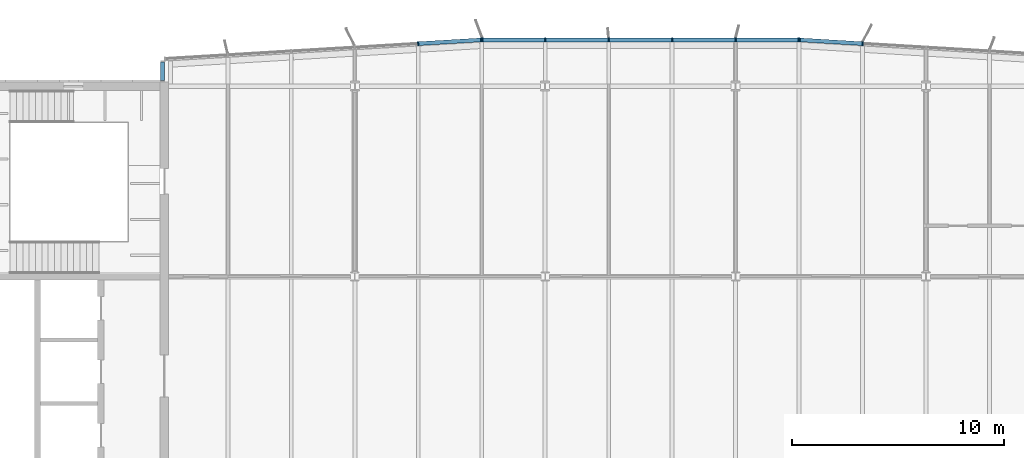
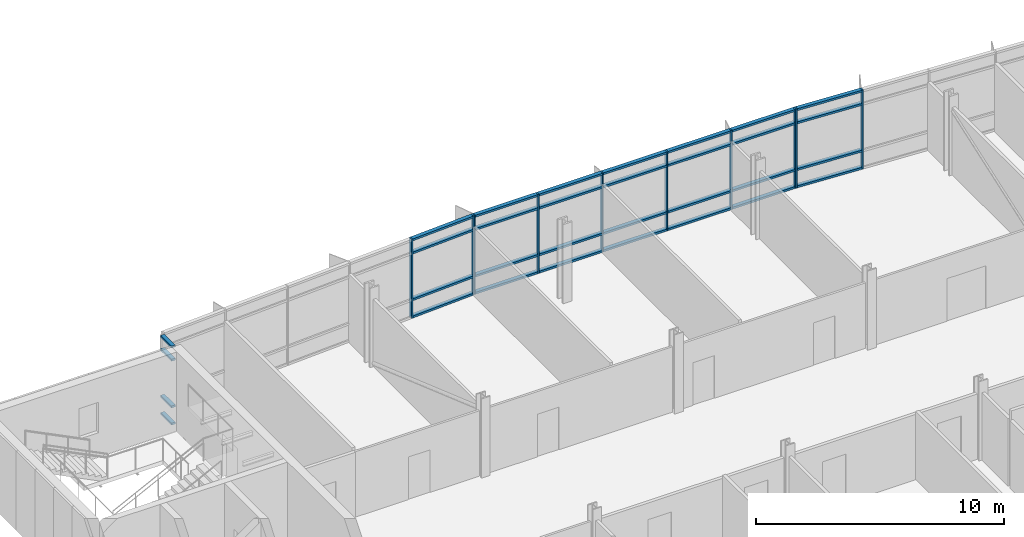
# One storey, part 8 of 17: 42 members, 4 elements without a shape of their own.
"""IFC4 building model written with IfcOpenShell, lengths in metres."""

import ifcopenshell
import ifcopenshell.guid

model = None  # the IFC model being written
_history = None  # IfcOwnerHistory: only IFC2X3 demands one
_inside = {}  # id of a spatial element -> (the spatial element, [elements in it])
_under = {}  # id of a project, library or spatial element -> (it, [spatial elements below it])
_declared = {}  # id of a project -> (the project, [libraries it declares])
_typed = {}  # id of a type object -> (the type object, [elements of that type])
_made_of = {}  # id of a material, layer set ... -> (it, [elements and type objects made of it])


def new_model(schema):
    """Start an empty IFC model of exactly this schema.

    Asked for "IFC4X3", IfcOpenShell would pick the latest addendum, in which some entities
    have other attributes; the version numbers below select the first issue.
    IFC2X3 requires an IfcOwnerHistory on every rooted entity: one is made here for all.
    """
    global model, _history
    if schema == "IFC4X3":
        model = ifcopenshell.file(schema_version=(4, 3, 0, 0))
    else:
        model = ifcopenshell.file(schema=schema)
    _inside.clear()
    _under.clear()
    _declared.clear()
    _typed.clear()
    _made_of.clear()
    _history = None
    if model.schema == "IFC2X3":
        org = make("IfcOrganization", Name="unknown")
        user = make(
            "IfcPersonAndOrganization",
            ThePerson=make("IfcPerson", FamilyName="unknown"),
            TheOrganization=org,
        )
        app = make(
            "IfcApplication",
            ApplicationDeveloper=org,
            Version="unknown",
            ApplicationFullName="unknown",
            ApplicationIdentifier="unknown",
        )
        _history = make(
            "IfcOwnerHistory",
            OwningUser=user,
            OwningApplication=app,
            ChangeAction="ADDED",
            CreationDate=0,
        )
    return model


def make(cls, **values):
    """One entity of the class cls with the attributes given. An attribute that is None is left unset."""
    return model.create_entity(
        cls, **{name: value for name, value in values.items() if value is not None}
    )


def rooted(cls, **values):
    """An entity with a GlobalId (a new one), such as an element, a storey or a relation."""
    return make(cls, GlobalId=ifcopenshell.guid.new(), OwnerHistory=_history, **values)


def si_unit(unit_type, name, prefix=None):
    """IfcSIUnit, for example si_unit("LENGTHUNIT", "METRE", prefix="MILLI")."""
    return make("IfcSIUnit", UnitType=unit_type, Prefix=prefix, Name=name)


def assignment(units):
    """IfcUnitAssignment: the units of a project."""
    return None if units is None else make("IfcUnitAssignment", Units=units)


def point(xyz):
    """IfcCartesianPoint."""
    return None if xyz is None else make("IfcCartesianPoint", Coordinates=xyz)


def direction(xyz):
    """IfcDirection."""
    return None if xyz is None else make("IfcDirection", DirectionRatios=xyz)


def frame(location, z_axis=None, x_axis=None):
    """IfcAxis2Placement3D, a coordinate frame: its origin and axes. An axis left out is left unset."""
    return make(
        "IfcAxis2Placement3D",
        Location=point(location),
        Axis=direction(z_axis),
        RefDirection=direction(x_axis),
    )


def frame_2d(location, x_axis=None):
    """IfcAxis2Placement2D, a coordinate frame in the plane: its origin and x axis."""
    return make(
        "IfcAxis2Placement2D", Location=point(location), RefDirection=direction(x_axis)
    )


def origin():
    """The frame at (0, 0, 0) with its axes left unset."""
    return frame((0.0, 0.0, 0.0))


def origin_2d():
    """The frame at (0, 0) in the plane with its x axis left unset."""
    return frame_2d((0.0, 0.0))


def place(relative_to, where):
    """IfcLocalPlacement: puts the frame where relative to a parent placement (None: the world)."""
    return make(
        "IfcLocalPlacement", PlacementRelTo=relative_to, RelativePlacement=where
    )


def context(
    kind, dimensions, precision=None, world=None, true_north=None, identifier=None
):
    """IfcGeometricRepresentationContext, for example the 3D "Model" context."""
    return make(
        "IfcGeometricRepresentationContext",
        ContextIdentifier=identifier,
        ContextType=kind,
        CoordinateSpaceDimension=dimensions,
        Precision=precision,
        WorldCoordinateSystem=world,
        TrueNorth=true_north,
    )


def subcontext(parent, identifier, kind, view, scale=None):
    """IfcGeometricRepresentationSubContext, for example "Body" below "Model"."""
    return make(
        "IfcGeometricRepresentationSubContext",
        ContextIdentifier=identifier,
        ContextType=kind,
        ParentContext=parent,
        TargetScale=scale,
        TargetView=view,
    )


def project(units=None, contexts=None):
    """IfcProject with its units and contexts."""
    return rooted(
        "IfcProject",
        Name="project",
        RepresentationContexts=contexts,
        UnitsInContext=assignment(units),
    )


def spatial(cls, under=None, at=None, **own):
    """A site, building, storey or space (cls), placed at a placement, below another one or the project."""
    s = rooted(cls, ObjectPlacement=at, **own)
    if under is not None:
        _under.setdefault(under.id(), (under, []))[1].append(s)
    return s


def profile(cls, at=None, kind="AREA", **sizes):
    """A parametric profile (cls). Its sizes go by their IFC names, for example OverallWidth=200.0."""
    return make(cls, ProfileType=kind, Position=at, **sizes)


def rectangle(**sizes):
    """IfcRectangleProfileDef."""
    return profile("IfcRectangleProfileDef", **sizes)


def extrude(swept, where, along, depth):
    """IfcExtrudedAreaSolid: the profile swept, set in the frame where, extruded along a direction by depth."""
    return make(
        "IfcExtrudedAreaSolid",
        SweptArea=swept,
        Position=where,
        ExtrudedDirection=direction(along),
        Depth=depth,
    )


def shape(context_of_items, identifier, shape_type, items):
    """IfcShapeRepresentation: the items that make up one representation, for example the "Body"."""
    return make(
        "IfcShapeRepresentation",
        ContextOfItems=context_of_items,
        RepresentationIdentifier=identifier,
        RepresentationType=shape_type,
        Items=items,
    )


def material(Name=None, Category=None):
    """IfcMaterial."""
    return make("IfcMaterial", Name=Name, Category=Category)


def material_profile(
    of_material, cross_section, Name=None, Category=None, Priority=None
):
    """IfcMaterialProfile: a cross section and its material."""
    return make(
        "IfcMaterialProfile",
        Name=Name,
        Material=of_material,
        Profile=cross_section,
        Priority=Priority,
        Category=Category,
    )


def profile_set(profiles, Name=None, composite=None):
    """IfcMaterialProfileSet."""
    return make(
        "IfcMaterialProfileSet",
        Name=Name,
        MaterialProfiles=profiles,
        CompositeProfile=composite,
    )


def made_of(thing, what):
    """Note that an element or type object is made of a material, layer set ...; save() writes the relation."""
    if what is not None:
        _made_of.setdefault(what.id(), (what, []))[1].append(thing)
    return thing


def type_object(cls, material=None, **own):
    """A type object (cls), such as IfcWallType, which elements share."""
    return made_of(rooted(cls, **own), material)


def element(
    cls,
    number,
    at=None,
    inside=None,
    cuts=None,
    type_object=None,
    material=None,
    context=None,
    identifier="Body",
    shape_type=None,
    held_by="IfcProductDefinitionShape",
    body=None,
    shapes=None,
    **own,
):
    """One element of the class cls, such as IfcWall. Its Tag is "e" and its number.

    at: its placement. inside: the storey or other place that contains it. cuts: it is an
    opening in that element (IfcRelVoidsElement). A single representation is given by context,
    identifier, shape_type and body (its items); several are given by shapes. held_by: the class
    of the entity that holds the representations. save() writes the other relations.
    """
    e = rooted(cls, Tag="e%d" % number, ObjectPlacement=at, **own)
    if body is not None:
        shapes = [shape(context, identifier, shape_type, body)]
    if shapes is not None:
        e.Representation = make(held_by, Representations=shapes)
    if inside is not None:
        _inside.setdefault(inside.id(), (inside, []))[1].append(e)
    if cuts is not None:
        rooted(
            "IfcRelVoidsElement", RelatingBuildingElement=cuts, RelatedOpeningElement=e
        )
    if type_object is not None:
        _typed.setdefault(type_object.id(), (type_object, []))[1].append(e)
    return made_of(e, material)


def aggregate(whole, parts):
    """IfcRelAggregates: a whole, such as a stair, and the parts it consists of."""
    return rooted("IfcRelAggregates", RelatingObject=whole, RelatedObjects=parts)


def save(model, path):
    """Write the relations noted so far, then the file.

    IfcRelAggregates (storeys below a building ...), IfcRelContainedInSpatialStructure (elements
    in a storey), IfcRelDefinesByType, IfcRelAssociatesMaterial and IfcRelDeclares: one each for
    every whole, place, type object, material and project.
    """
    for whole, parts in _under.values():
        aggregate(whole, parts)
    for where, things in _inside.values():
        rooted(
            "IfcRelContainedInSpatialStructure",
            RelatedElements=things,
            RelatingStructure=where,
        )
    for kind, things in _typed.values():
        rooted("IfcRelDefinesByType", RelatedObjects=things, RelatingType=kind)
    for what, things in _made_of.values():
        rooted("IfcRelAssociatesMaterial", RelatedObjects=things, RelatingMaterial=what)
    for by, libraries in _declared.values():
        rooted("IfcRelDeclares", RelatingContext=by, RelatedDefinitions=libraries)
    model.write(path)


model = new_model("IFC4")

# Units and contexts
model_context = context("Model", 3, precision=1e-05, world=origin(), true_north=direction((0.0, 1.0)))
body_context = subcontext(model_context, "Body", "Model", "MODEL_VIEW")
ifc_project = project(units=[si_unit("LENGTHUNIT", "METRE"), si_unit("AREAUNIT", "SQUARE_METRE"), si_unit("VOLUMEUNIT", "CUBIC_METRE"), si_unit("PLANEANGLEUNIT", "RADIAN"), si_unit("MASSUNIT", "GRAM", prefix="KILO")], contexts=[model_context])

# Site, building, storey
site_placement = place(None, origin())
site = spatial("IfcSite", under=ifc_project, at=site_placement, CompositionType="ELEMENT")
building_placement = place(site_placement, origin())
building = spatial("IfcBuilding", under=site, at=building_placement, Name="Azimuth Sports and Learning Centre", CompositionType="ELEMENT")
storey_placement = place(building_placement, frame((0.0, 0.0, 36.300048828125)))
storey = spatial("IfcBuildingStorey", under=building, at=storey_placement, Name="L07", CompositionType="ELEMENT", Elevation=36.300048828125)

# Curtain wall, members
ifc_material_1 = material(Name="Aluminium and glass", Category="aluminium")
curtain_wall_type_1 = type_object("IfcCurtainWallType", Name="Curtain wall tower north 180", PredefinedType="NOTDEFINED", material=ifc_material_1)
curtain_wall_1_placement = place(storey_placement, origin())
curtain_wall_1 = element("IfcCurtainWall", 1, at=curtain_wall_1_placement, inside=storey, type_object=curtain_wall_type_1, Name="Curtain wall CW07-007", PredefinedType="NOTDEFINED")
ifc_material_2 = material(Name="Aluminium", Category="aluminium")
ifc_material_profile_1 = material_profile(ifc_material_2, rectangle(XDim=0.179931640625, YDim=0.06005859375, at=origin_2d()), Name="Mullion 60x180")
ifc_profile_set_1 = profile_set([ifc_material_profile_1], Name="Aluminium")
member_type_1 = type_object("IfcMemberType", Name="Mullion 60x180", PredefinedType="MULLION", material=ifc_profile_set_1)
member_1_placement = place(storey_placement, frame((96.00537109375, 119.009765625, 0.0), z_axis=(0.0, 0.0, 1.0), x_axis=(-0.059891991812, -0.998204863401, 0.0)))
member_1 = element("IfcMember", 2, at=member_1_placement, type_object=member_type_1, Name="CW07-007 mullion 5", PredefinedType="MULLION", context=body_context, shape_type="SweptSolid", body=[
    extrude(rectangle(XDim=0.179931640625, YDim=0.06005859375, at=origin_2d()), origin(), (0.0, 0.0, 1.0), 3.89990234375),
])
member_2_placement = place(storey_placement, frame((93.035400390625, 119.18798828125, 0.0), z_axis=(0.0, 0.0, 1.0), x_axis=(-0.059891991812, -0.998204863401, 0.0)))
member_2 = element("IfcMember", 3, at=member_2_placement, type_object=member_type_1, Name="CW07-007 mullion 6", PredefinedType="MULLION", context=body_context, shape_type="SweptSolid", body=[
    extrude(rectangle(XDim=0.179931640625, YDim=0.06005859375, at=origin_2d()), origin(), (0.0, 0.0, 1.0), 3.89990234375),
])

curtain_wall_2_placement = place(storey_placement, origin())
curtain_wall_2 = element("IfcCurtainWall", 4, at=curtain_wall_2_placement, inside=storey, type_object=curtain_wall_type_1, Name="Curtain wall CW07-008", PredefinedType="NOTDEFINED")
member_3_placement = place(storey_placement, frame((92.975341796875, 119.18994140625, 0.0), z_axis=(0.0, 0.0, 1.0), x_axis=(0.0, -1.0, 0.0)))
member_3 = element("IfcMember", 5, at=member_3_placement, type_object=member_type_1, Name="CW07-008 mullion 1", PredefinedType="MULLION", context=body_context, shape_type="SweptSolid", body=[
    extrude(rectangle(XDim=0.179931640625, YDim=0.06005859375, at=origin_2d()), origin(), (0.0, 0.0, 1.0), 3.89990234375),
])
member_4_placement = place(storey_placement, frame((90.0, 119.18994140625, 0.0), z_axis=(0.0, 0.0, 1.0), x_axis=(0.0, -1.0, 0.0)))
member_4 = element("IfcMember", 6, at=member_4_placement, type_object=member_type_1, Name="CW07-008 mullion 2", PredefinedType="MULLION", context=body_context, shape_type="SweptSolid", body=[
    extrude(rectangle(XDim=0.179931640625, YDim=0.06005859375, at=origin_2d()), origin(), (0.0, 0.0, 1.0), 3.89990234375),
])
member_5_placement = place(storey_placement, frame((87.0, 119.18994140625, 0.0), z_axis=(0.0, 0.0, 1.0), x_axis=(0.0, -1.0, 0.0)))
member_5 = element("IfcMember", 7, at=member_5_placement, type_object=member_type_1, Name="CW07-008 mullion 3", PredefinedType="MULLION", context=body_context, shape_type="SweptSolid", body=[
    extrude(rectangle(XDim=0.179931640625, YDim=0.06005859375, at=origin_2d()), origin(), (0.0, 0.0, 1.0), 3.89990234375),
])
member_6_placement = place(storey_placement, frame((84.0, 119.18994140625, 0.0), z_axis=(0.0, 0.0, 1.0), x_axis=(0.0, -1.0, 0.0)))
member_6 = element("IfcMember", 8, at=member_6_placement, type_object=member_type_1, Name="CW07-008 mullion 4", PredefinedType="MULLION", context=body_context, shape_type="SweptSolid", body=[
    extrude(rectangle(XDim=0.179931640625, YDim=0.06005859375, at=origin_2d()), origin(), (0.0, 0.0, 1.0), 3.89990234375),
])
member_7_placement = place(storey_placement, frame((81.0, 119.18994140625, 0.0), z_axis=(0.0, 0.0, 1.0), x_axis=(0.0, -1.0, 0.0)))
member_7 = element("IfcMember", 9, at=member_7_placement, type_object=member_type_1, Name="CW07-008 mullion 5", PredefinedType="MULLION", context=body_context, shape_type="SweptSolid", body=[
    extrude(rectangle(XDim=0.179931640625, YDim=0.06005859375, at=origin_2d()), origin(), (0.0, 0.0, 1.0), 3.89990234375),
])
member_8_placement = place(storey_placement, frame((78.030029296875, 119.18994140625, 0.0), z_axis=(0.0, 0.0, 1.0), x_axis=(0.0, -1.0, 0.0)))
member_8 = element("IfcMember", 10, at=member_8_placement, type_object=member_type_1, Name="CW07-008 mullion 6", PredefinedType="MULLION", context=body_context, shape_type="SweptSolid", body=[
    extrude(rectangle(XDim=0.179931640625, YDim=0.06005859375, at=origin_2d()), origin(), (0.0, 0.0, 1.0), 3.89990234375),
])

curtain_wall_3_placement = place(storey_placement, origin())
curtain_wall_3 = element("IfcCurtainWall", 11, at=curtain_wall_3_placement, inside=storey, type_object=curtain_wall_type_1, Name="Curtain wall CW07-009", PredefinedType="NOTDEFINED")
member_9_placement = place(storey_placement, frame((77.969970703125, 119.1884765625, 0.0), z_axis=(0.0, 0.0, 1.0), x_axis=(0.059891991812, -0.998204863401, 0.0)))
member_9 = element("IfcMember", 12, at=member_9_placement, type_object=member_type_1, Name="CW07-009 mullion 1", PredefinedType="MULLION", context=body_context, shape_type="SweptSolid", body=[
    extrude(rectangle(XDim=0.179931640625, YDim=0.06005859375, at=origin_2d()), origin(), (0.0, 0.0, 1.0), 3.89990234375),
])
member_10_placement = place(storey_placement, frame((74.99462890625, 119.009765625, 0.0), z_axis=(0.0, 0.0, 1.0), x_axis=(0.059891991812, -0.998204863401, 0.0)))
member_10 = element("IfcMember", 13, at=member_10_placement, type_object=member_type_1, Name="CW07-009 mullion 2", PredefinedType="MULLION", context=body_context, shape_type="SweptSolid", body=[
    extrude(rectangle(XDim=0.179931640625, YDim=0.06005859375, at=origin_2d()), origin(), (0.0, 0.0, 1.0), 3.89990234375),
])

# Member
ifc_material_3 = material(Name="Aluminium", Category="aluminium")
ifc_material_profile_2 = material_profile(ifc_material_3, rectangle(XDim=0.179931640625, YDim=0.10009765625, at=origin_2d()), Name="Transom 100x180")
ifc_profile_set_2 = profile_set([ifc_material_profile_2], Name="Aluminium")
member_type_2 = type_object("IfcMemberType", Name="Transom 100x180", PredefinedType="USERDEFINED", material=ifc_profile_set_2)
member_11_placement = place(storey_placement, frame((95.975341796875, 119.01171875, 0.050048828125), z_axis=(-0.998205846627, 0.059875602377, 0.0), x_axis=(-0.059875602377, -0.998205846627, 0.0)))
member_11 = element("IfcMember", 14, at=member_11_placement, type_object=member_type_2, Name="CW07-007 transom 5.1", ObjectType="TRANSOM", PredefinedType="USERDEFINED", context=body_context, shape_type="SweptSolid", body=[
    extrude(rectangle(XDim=0.179931640625, YDim=0.10009765625, at=origin_2d()), origin(), (0.0, 0.0, 1.0), 2.915283203125),
])

member_12_placement = place(storey_placement, frame((95.975341796875, 119.01171875, 0.89990234375), z_axis=(-0.998205846627, 0.059875602377, 0.0), x_axis=(-0.059875602377, -0.998205846627, 0.0)))
member_12 = element("IfcMember", 15, at=member_12_placement, type_object=member_type_2, Name="CW07-007 transom 5.2", ObjectType="TRANSOM", PredefinedType="USERDEFINED", context=body_context, shape_type="SweptSolid", body=[
    extrude(rectangle(XDim=0.179931640625, YDim=0.10009765625, at=origin_2d()), origin(), (0.0, 0.0, 1.0), 2.915283203125),
])

member_13_placement = place(storey_placement, frame((95.975341796875, 119.01171875, 3.199951171875), z_axis=(-0.998205846627, 0.059875602377, 0.0), x_axis=(-0.059875602377, -0.998205846627, 0.0)))
member_13 = element("IfcMember", 16, at=member_13_placement, type_object=member_type_2, Name="CW07-007 transom 5.3", ObjectType="TRANSOM", PredefinedType="USERDEFINED", context=body_context, shape_type="SweptSolid", body=[
    extrude(rectangle(XDim=0.179931640625, YDim=0.10009765625, at=origin_2d()), origin(), (0.0, 0.0, 1.0), 2.915283203125),
])

member_14_placement = place(storey_placement, frame((95.975341796875, 119.01171875, 3.849853515625), z_axis=(-0.998205846627, 0.059875602377, 0.0), x_axis=(-0.059875602377, -0.998205846627, 0.0)))
member_14 = element("IfcMember", 17, at=member_14_placement, type_object=member_type_2, Name="CW07-007 transom 5.4", ObjectType="TRANSOM", PredefinedType="USERDEFINED", context=body_context, shape_type="SweptSolid", body=[
    extrude(rectangle(XDim=0.179931640625, YDim=0.10009765625, at=origin_2d()), origin(), (0.0, 0.0, 1.0), 2.915283203125),
])

aggregate(curtain_wall_1, [member_1, member_2, member_11, member_12, member_13, member_14])

member_15_placement = place(storey_placement, frame((92.9453125, 119.18994140625, 0.050048828125), z_axis=(-1.0, 0.0, 0.0), x_axis=(0.0, -1.0, 0.0)))
member_15 = element("IfcMember", 18, at=member_15_placement, type_object=member_type_2, Name="CW07-008 transom 1.1", ObjectType="TRANSOM", PredefinedType="USERDEFINED", context=body_context, shape_type="SweptSolid", body=[
    extrude(rectangle(XDim=0.179931640625, YDim=0.10009765625, at=origin_2d()), origin(), (0.0, 0.0, 1.0), 2.915283203125),
])

member_16_placement = place(storey_placement, frame((92.9453125, 119.18994140625, 0.89990234375), z_axis=(-1.0, 0.0, 0.0), x_axis=(0.0, -1.0, 0.0)))
member_16 = element("IfcMember", 19, at=member_16_placement, type_object=member_type_2, Name="CW07-008 transom 1.2", ObjectType="TRANSOM", PredefinedType="USERDEFINED", context=body_context, shape_type="SweptSolid", body=[
    extrude(rectangle(XDim=0.179931640625, YDim=0.10009765625, at=origin_2d()), origin(), (0.0, 0.0, 1.0), 2.915283203125),
])

member_17_placement = place(storey_placement, frame((92.9453125, 119.18994140625, 3.199951171875), z_axis=(-1.0, 0.0, 0.0), x_axis=(0.0, -1.0, 0.0)))
member_17 = element("IfcMember", 20, at=member_17_placement, type_object=member_type_2, Name="CW07-008 transom 1.3", ObjectType="TRANSOM", PredefinedType="USERDEFINED", context=body_context, shape_type="SweptSolid", body=[
    extrude(rectangle(XDim=0.179931640625, YDim=0.10009765625, at=origin_2d()), origin(), (0.0, 0.0, 1.0), 2.915283203125),
])

member_18_placement = place(storey_placement, frame((92.9453125, 119.18994140625, 3.849853515625), z_axis=(-1.0, 0.0, 0.0), x_axis=(0.0, -1.0, 0.0)))
member_18 = element("IfcMember", 21, at=member_18_placement, type_object=member_type_2, Name="CW07-008 transom 1.4", ObjectType="TRANSOM", PredefinedType="USERDEFINED", context=body_context, shape_type="SweptSolid", body=[
    extrude(rectangle(XDim=0.179931640625, YDim=0.10009765625, at=origin_2d()), origin(), (0.0, 0.0, 1.0), 2.915283203125),
])

member_19_placement = place(storey_placement, frame((89.969970703125, 119.18994140625, 0.050048828125), z_axis=(-1.0, 0.0, 0.0), x_axis=(0.0, -1.0, 0.0)))
member_19 = element("IfcMember", 22, at=member_19_placement, type_object=member_type_2, Name="CW07-008 transom 2.1", ObjectType="TRANSOM", PredefinedType="USERDEFINED", context=body_context, shape_type="SweptSolid", body=[
    extrude(rectangle(XDim=0.179931640625, YDim=0.10009765625, at=origin_2d()), origin(), (0.0, 0.0, 1.0), 2.93994140625),
])

member_20_placement = place(storey_placement, frame((89.969970703125, 119.18994140625, 0.89990234375), z_axis=(-1.0, 0.0, 0.0), x_axis=(0.0, -1.0, 0.0)))
member_20 = element("IfcMember", 23, at=member_20_placement, type_object=member_type_2, Name="CW07-008 transom 2.2", ObjectType="TRANSOM", PredefinedType="USERDEFINED", context=body_context, shape_type="SweptSolid", body=[
    extrude(rectangle(XDim=0.179931640625, YDim=0.10009765625, at=origin_2d()), origin(), (0.0, 0.0, 1.0), 2.93994140625),
])

member_21_placement = place(storey_placement, frame((89.969970703125, 119.18994140625, 3.199951171875), z_axis=(-1.0, 0.0, 0.0), x_axis=(0.0, -1.0, 0.0)))
member_21 = element("IfcMember", 24, at=member_21_placement, type_object=member_type_2, Name="CW07-008 transom 2.3", ObjectType="TRANSOM", PredefinedType="USERDEFINED", context=body_context, shape_type="SweptSolid", body=[
    extrude(rectangle(XDim=0.179931640625, YDim=0.10009765625, at=origin_2d()), origin(), (0.0, 0.0, 1.0), 2.93994140625),
])

member_22_placement = place(storey_placement, frame((89.969970703125, 119.18994140625, 3.849853515625), z_axis=(-1.0, 0.0, 0.0), x_axis=(0.0, -1.0, 0.0)))
member_22 = element("IfcMember", 25, at=member_22_placement, type_object=member_type_2, Name="CW07-008 transom 2.4", ObjectType="TRANSOM", PredefinedType="USERDEFINED", context=body_context, shape_type="SweptSolid", body=[
    extrude(rectangle(XDim=0.179931640625, YDim=0.10009765625, at=origin_2d()), origin(), (0.0, 0.0, 1.0), 2.93994140625),
])

member_23_placement = place(storey_placement, frame((86.969970703125, 119.18994140625, 0.050048828125), z_axis=(-1.0, 0.0, 0.0), x_axis=(0.0, -1.0, 0.0)))
member_23 = element("IfcMember", 26, at=member_23_placement, type_object=member_type_2, Name="CW07-008 transom 3.1", ObjectType="TRANSOM", PredefinedType="USERDEFINED", context=body_context, shape_type="SweptSolid", body=[
    extrude(rectangle(XDim=0.179931640625, YDim=0.10009765625, at=origin_2d()), origin(), (0.0, 0.0, 1.0), 2.93994140625),
])

member_24_placement = place(storey_placement, frame((86.969970703125, 119.18994140625, 0.89990234375), z_axis=(-1.0, 0.0, 0.0), x_axis=(0.0, -1.0, 0.0)))
member_24 = element("IfcMember", 27, at=member_24_placement, type_object=member_type_2, Name="CW07-008 transom 3.2", ObjectType="TRANSOM", PredefinedType="USERDEFINED", context=body_context, shape_type="SweptSolid", body=[
    extrude(rectangle(XDim=0.179931640625, YDim=0.10009765625, at=origin_2d()), origin(), (0.0, 0.0, 1.0), 2.93994140625),
])

member_25_placement = place(storey_placement, frame((86.969970703125, 119.18994140625, 3.199951171875), z_axis=(-1.0, 0.0, 0.0), x_axis=(0.0, -1.0, 0.0)))
member_25 = element("IfcMember", 28, at=member_25_placement, type_object=member_type_2, Name="CW07-008 transom 3.3", ObjectType="TRANSOM", PredefinedType="USERDEFINED", context=body_context, shape_type="SweptSolid", body=[
    extrude(rectangle(XDim=0.179931640625, YDim=0.10009765625, at=origin_2d()), origin(), (0.0, 0.0, 1.0), 2.93994140625),
])

member_26_placement = place(storey_placement, frame((86.969970703125, 119.18994140625, 3.849853515625), z_axis=(-1.0, 0.0, 0.0), x_axis=(0.0, -1.0, 0.0)))
member_26 = element("IfcMember", 29, at=member_26_placement, type_object=member_type_2, Name="CW07-008 transom 3.4", ObjectType="TRANSOM", PredefinedType="USERDEFINED", context=body_context, shape_type="SweptSolid", body=[
    extrude(rectangle(XDim=0.179931640625, YDim=0.10009765625, at=origin_2d()), origin(), (0.0, 0.0, 1.0), 2.93994140625),
])

member_27_placement = place(storey_placement, frame((83.969970703125, 119.18994140625, 0.050048828125), z_axis=(-1.0, 0.0, 0.0), x_axis=(0.0, -1.0, 0.0)))
member_27 = element("IfcMember", 30, at=member_27_placement, type_object=member_type_2, Name="CW07-008 transom 4.1", ObjectType="TRANSOM", PredefinedType="USERDEFINED", context=body_context, shape_type="SweptSolid", body=[
    extrude(rectangle(XDim=0.179931640625, YDim=0.10009765625, at=origin_2d()), origin(), (0.0, 0.0, 1.0), 2.93994140625),
])

member_28_placement = place(storey_placement, frame((83.969970703125, 119.18994140625, 0.89990234375), z_axis=(-1.0, 0.0, 0.0), x_axis=(0.0, -1.0, 0.0)))
member_28 = element("IfcMember", 31, at=member_28_placement, type_object=member_type_2, Name="CW07-008 transom 4.2", ObjectType="TRANSOM", PredefinedType="USERDEFINED", context=body_context, shape_type="SweptSolid", body=[
    extrude(rectangle(XDim=0.179931640625, YDim=0.10009765625, at=origin_2d()), origin(), (0.0, 0.0, 1.0), 2.93994140625),
])

member_29_placement = place(storey_placement, frame((83.969970703125, 119.18994140625, 3.199951171875), z_axis=(-1.0, 0.0, 0.0), x_axis=(0.0, -1.0, 0.0)))
member_29 = element("IfcMember", 32, at=member_29_placement, type_object=member_type_2, Name="CW07-008 transom 4.3", ObjectType="TRANSOM", PredefinedType="USERDEFINED", context=body_context, shape_type="SweptSolid", body=[
    extrude(rectangle(XDim=0.179931640625, YDim=0.10009765625, at=origin_2d()), origin(), (0.0, 0.0, 1.0), 2.93994140625),
])

member_30_placement = place(storey_placement, frame((83.969970703125, 119.18994140625, 3.849853515625), z_axis=(-1.0, 0.0, 0.0), x_axis=(0.0, -1.0, 0.0)))
member_30 = element("IfcMember", 33, at=member_30_placement, type_object=member_type_2, Name="CW07-008 transom 4.4", ObjectType="TRANSOM", PredefinedType="USERDEFINED", context=body_context, shape_type="SweptSolid", body=[
    extrude(rectangle(XDim=0.179931640625, YDim=0.10009765625, at=origin_2d()), origin(), (0.0, 0.0, 1.0), 2.93994140625),
])

member_31_placement = place(storey_placement, frame((80.969970703125, 119.18994140625, 0.050048828125), z_axis=(-1.0, 0.0, 0.0), x_axis=(0.0, -1.0, 0.0)))
member_31 = element("IfcMember", 34, at=member_31_placement, type_object=member_type_2, Name="CW07-008 transom 5.1", ObjectType="TRANSOM", PredefinedType="USERDEFINED", context=body_context, shape_type="SweptSolid", body=[
    extrude(rectangle(XDim=0.179931640625, YDim=0.10009765625, at=origin_2d()), origin(), (0.0, 0.0, 1.0), 2.909912109375),
])

member_32_placement = place(storey_placement, frame((80.969970703125, 119.18994140625, 0.89990234375), z_axis=(-1.0, 0.0, 0.0), x_axis=(0.0, -1.0, 0.0)))
member_32 = element("IfcMember", 35, at=member_32_placement, type_object=member_type_2, Name="CW07-008 transom 5.2", ObjectType="TRANSOM", PredefinedType="USERDEFINED", context=body_context, shape_type="SweptSolid", body=[
    extrude(rectangle(XDim=0.179931640625, YDim=0.10009765625, at=origin_2d()), origin(), (0.0, 0.0, 1.0), 2.909912109375),
])

member_33_placement = place(storey_placement, frame((80.969970703125, 119.18994140625, 3.199951171875), z_axis=(-1.0, 0.0, 0.0), x_axis=(0.0, -1.0, 0.0)))
member_33 = element("IfcMember", 36, at=member_33_placement, type_object=member_type_2, Name="CW07-008 transom 5.3", ObjectType="TRANSOM", PredefinedType="USERDEFINED", context=body_context, shape_type="SweptSolid", body=[
    extrude(rectangle(XDim=0.179931640625, YDim=0.10009765625, at=origin_2d()), origin(), (0.0, 0.0, 1.0), 2.909912109375),
])

member_34_placement = place(storey_placement, frame((80.969970703125, 119.18994140625, 3.849853515625), z_axis=(-1.0, 0.0, 0.0), x_axis=(0.0, -1.0, 0.0)))
member_34 = element("IfcMember", 37, at=member_34_placement, type_object=member_type_2, Name="CW07-008 transom 5.4", ObjectType="TRANSOM", PredefinedType="USERDEFINED", context=body_context, shape_type="SweptSolid", body=[
    extrude(rectangle(XDim=0.179931640625, YDim=0.10009765625, at=origin_2d()), origin(), (0.0, 0.0, 1.0), 2.909912109375),
])

aggregate(curtain_wall_2, [member_3, member_4, member_5, member_6, member_7, member_8, member_15, member_16, member_17, member_18, member_19, member_20, member_21, member_22, member_23, member_24, member_25, member_26, member_27, member_28, member_29, member_30, member_31, member_32, member_33, member_34])

member_35_placement = place(storey_placement, frame((77.940185546875, 119.1865234375, 0.050048828125), z_axis=(-0.998207443116, -0.059848980847, 0.0), x_axis=(0.059848980847, -0.998207443116, 0.0)))
member_35 = element("IfcMember", 38, at=member_35_placement, type_object=member_type_2, Name="CW07-009 transom 1.1", ObjectType="TRANSOM", PredefinedType="USERDEFINED", context=body_context, shape_type="SweptSolid", body=[
    extrude(rectangle(XDim=0.179931640625, YDim=0.10009765625, at=origin_2d()), origin(), (0.0, 0.0, 1.0), 2.920654296875),
])

member_36_placement = place(storey_placement, frame((77.940185546875, 119.1865234375, 0.89990234375), z_axis=(-0.998207443116, -0.059848980847, 0.0), x_axis=(0.059848980847, -0.998207443116, 0.0)))
member_36 = element("IfcMember", 39, at=member_36_placement, type_object=member_type_2, Name="CW07-009 transom 1.2", ObjectType="TRANSOM", PredefinedType="USERDEFINED", context=body_context, shape_type="SweptSolid", body=[
    extrude(rectangle(XDim=0.179931640625, YDim=0.10009765625, at=origin_2d()), origin(), (0.0, 0.0, 1.0), 2.920654296875),
])

member_37_placement = place(storey_placement, frame((77.940185546875, 119.1865234375, 3.199951171875), z_axis=(-0.998207443116, -0.059848980847, 0.0), x_axis=(0.059848980847, -0.998207443116, 0.0)))
member_37 = element("IfcMember", 40, at=member_37_placement, type_object=member_type_2, Name="CW07-009 transom 1.3", ObjectType="TRANSOM", PredefinedType="USERDEFINED", context=body_context, shape_type="SweptSolid", body=[
    extrude(rectangle(XDim=0.179931640625, YDim=0.10009765625, at=origin_2d()), origin(), (0.0, 0.0, 1.0), 2.920654296875),
])

member_38_placement = place(storey_placement, frame((77.940185546875, 119.1865234375, 3.849853515625), z_axis=(-0.998207443116, -0.059848980847, 0.0), x_axis=(0.059848980847, -0.998207443116, 0.0)))
member_38 = element("IfcMember", 41, at=member_38_placement, type_object=member_type_2, Name="CW07-009 transom 1.4", ObjectType="TRANSOM", PredefinedType="USERDEFINED", context=body_context, shape_type="SweptSolid", body=[
    extrude(rectangle(XDim=0.179931640625, YDim=0.10009765625, at=origin_2d()), origin(), (0.0, 0.0, 1.0), 2.920654296875),
])

aggregate(curtain_wall_3, [member_9, member_10, member_35, member_36, member_37, member_38])

# Curtain wall, members
ifc_material_4 = material(Name="Aluminium and glass", Category="aluminium")
curtain_wall_type_2 = type_object("IfcCurtainWallType", Name="Curtain wall tower return 180", PredefinedType="NOTDEFINED", material=ifc_material_4)
curtain_wall_4_placement = place(storey_placement, origin())
curtain_wall_4 = element("IfcCurtainWall", 42, at=curtain_wall_4_placement, inside=storey, type_object=curtain_wall_type_2, Name="Curtain wall CW07-010", PredefinedType="NOTDEFINED")
member_39_placement = place(storey_placement, frame((62.909912109375, 118.139892578125, 0.050048828125), z_axis=(0.0, -1.0, 0.0), x_axis=(1.0, 0.0, 0.0)))
member_39 = element("IfcMember", 43, at=member_39_placement, type_object=member_type_2, Name="CW07-010 transom 1.1", ObjectType="TRANSOM", PredefinedType="USERDEFINED", context=body_context, shape_type="SweptSolid", body=[
    extrude(rectangle(XDim=0.179931640625, YDim=0.10009765625, at=origin_2d()), origin(), (0.0, 0.0, 1.0), 0.8798828125),
])
member_40_placement = place(storey_placement, frame((62.909912109375, 118.139892578125, 0.89990234375), z_axis=(0.0, -1.0, 0.0), x_axis=(1.0, 0.0, 0.0)))
member_40 = element("IfcMember", 44, at=member_40_placement, type_object=member_type_2, Name="CW07-010 transom 1.2", ObjectType="TRANSOM", PredefinedType="USERDEFINED", context=body_context, shape_type="SweptSolid", body=[
    extrude(rectangle(XDim=0.179931640625, YDim=0.10009765625, at=origin_2d()), origin(), (0.0, 0.0, 1.0), 0.8798828125),
])
member_41_placement = place(storey_placement, frame((62.909912109375, 118.139892578125, 3.199951171875), z_axis=(0.0, -1.0, 0.0), x_axis=(1.0, 0.0, 0.0)))
member_41 = element("IfcMember", 45, at=member_41_placement, type_object=member_type_2, Name="CW07-010 transom 1.3", ObjectType="TRANSOM", PredefinedType="USERDEFINED", context=body_context, shape_type="SweptSolid", body=[
    extrude(rectangle(XDim=0.179931640625, YDim=0.10009765625, at=origin_2d()), origin(), (0.0, 0.0, 1.0), 0.8798828125),
])
member_42_placement = place(storey_placement, frame((62.909912109375, 118.139892578125, 3.849853515625), z_axis=(0.0, -1.0, 0.0), x_axis=(1.0, 0.0, 0.0)))
member_42 = element("IfcMember", 46, at=member_42_placement, type_object=member_type_2, Name="CW07-010 transom 1.4", ObjectType="TRANSOM", PredefinedType="USERDEFINED", context=body_context, shape_type="SweptSolid", body=[
    extrude(rectangle(XDim=0.179931640625, YDim=0.10009765625, at=origin_2d()), origin(), (0.0, 0.0, 1.0), 0.8798828125),
])
aggregate(curtain_wall_4, [member_39, member_40, member_41, member_42])

save(model, "model.ifc")
